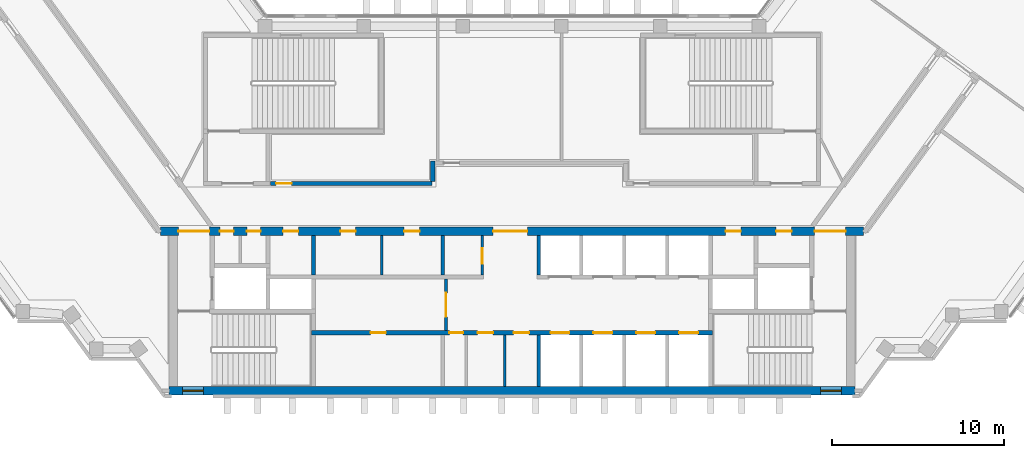
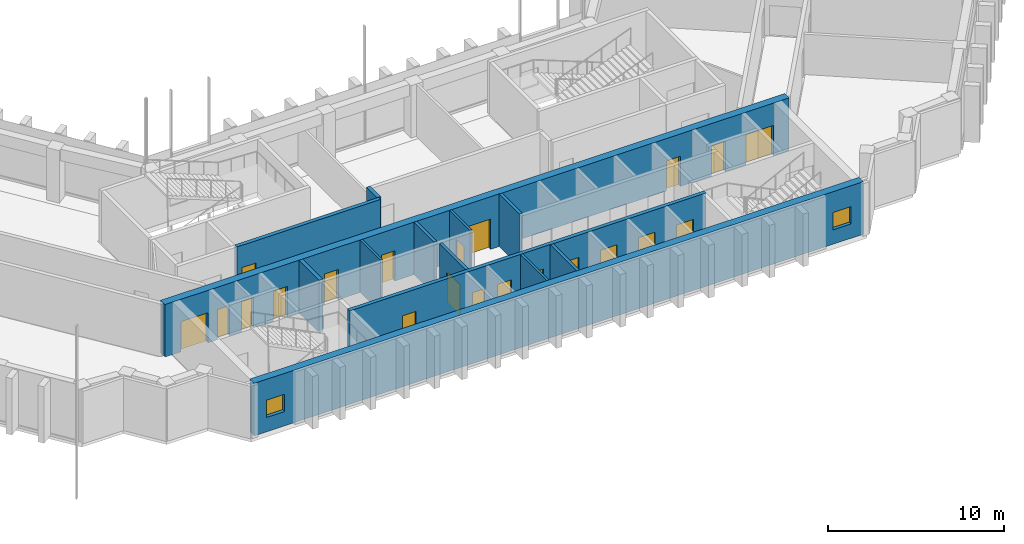
# One storey, part 8 of 12: 21 doors, 13 walls, 2 windows, 23 openings.
"""IFC4 building model written with IfcOpenShell, lengths in metres."""

import ifcopenshell
import ifcopenshell.guid

model = None  # the IFC model being written
_history = None  # IfcOwnerHistory: only IFC2X3 demands one
_inside = {}  # id of a spatial element -> (the spatial element, [elements in it])
_under = {}  # id of a project, library or spatial element -> (it, [spatial elements below it])
_declared = {}  # id of a project -> (the project, [libraries it declares])
_typed = {}  # id of a type object -> (the type object, [elements of that type])
_made_of = {}  # id of a material, layer set ... -> (it, [elements and type objects made of it])


def new_model(schema):
    """Start an empty IFC model of exactly this schema.

    Asked for "IFC4X3", IfcOpenShell would pick the latest addendum, in which some entities
    have other attributes; the version numbers below select the first issue.
    IFC2X3 requires an IfcOwnerHistory on every rooted entity: one is made here for all.
    """
    global model, _history
    if schema == "IFC4X3":
        model = ifcopenshell.file(schema_version=(4, 3, 0, 0))
    else:
        model = ifcopenshell.file(schema=schema)
    _inside.clear()
    _under.clear()
    _declared.clear()
    _typed.clear()
    _made_of.clear()
    _history = None
    if model.schema == "IFC2X3":
        org = make("IfcOrganization", Name="unknown")
        user = make(
            "IfcPersonAndOrganization",
            ThePerson=make("IfcPerson", FamilyName="unknown"),
            TheOrganization=org,
        )
        app = make(
            "IfcApplication",
            ApplicationDeveloper=org,
            Version="unknown",
            ApplicationFullName="unknown",
            ApplicationIdentifier="unknown",
        )
        _history = make(
            "IfcOwnerHistory",
            OwningUser=user,
            OwningApplication=app,
            ChangeAction="ADDED",
            CreationDate=0,
        )
    return model


def make(cls, **values):
    """One entity of the class cls with the attributes given. An attribute that is None is left unset."""
    return model.create_entity(
        cls, **{name: value for name, value in values.items() if value is not None}
    )


def rooted(cls, **values):
    """An entity with a GlobalId (a new one), such as an element, a storey or a relation."""
    return make(cls, GlobalId=ifcopenshell.guid.new(), OwnerHistory=_history, **values)


def si_unit(unit_type, name, prefix=None):
    """IfcSIUnit, for example si_unit("LENGTHUNIT", "METRE", prefix="MILLI")."""
    return make("IfcSIUnit", UnitType=unit_type, Prefix=prefix, Name=name)


def assignment(units):
    """IfcUnitAssignment: the units of a project."""
    return None if units is None else make("IfcUnitAssignment", Units=units)


def point(xyz):
    """IfcCartesianPoint."""
    return None if xyz is None else make("IfcCartesianPoint", Coordinates=xyz)


def direction(xyz):
    """IfcDirection."""
    return None if xyz is None else make("IfcDirection", DirectionRatios=xyz)


def frame(location, z_axis=None, x_axis=None):
    """IfcAxis2Placement3D, a coordinate frame: its origin and axes. An axis left out is left unset."""
    return make(
        "IfcAxis2Placement3D",
        Location=point(location),
        Axis=direction(z_axis),
        RefDirection=direction(x_axis),
    )


def frame_2d(location, x_axis=None):
    """IfcAxis2Placement2D, a coordinate frame in the plane: its origin and x axis."""
    return make(
        "IfcAxis2Placement2D", Location=point(location), RefDirection=direction(x_axis)
    )


def origin():
    """The frame at (0, 0, 0) with its axes left unset."""
    return frame((0.0, 0.0, 0.0))


def place(relative_to, where):
    """IfcLocalPlacement: puts the frame where relative to a parent placement (None: the world)."""
    return make(
        "IfcLocalPlacement", PlacementRelTo=relative_to, RelativePlacement=where
    )


def context(
    kind, dimensions, precision=None, world=None, true_north=None, identifier=None
):
    """IfcGeometricRepresentationContext, for example the 3D "Model" context."""
    return make(
        "IfcGeometricRepresentationContext",
        ContextIdentifier=identifier,
        ContextType=kind,
        CoordinateSpaceDimension=dimensions,
        Precision=precision,
        WorldCoordinateSystem=world,
        TrueNorth=true_north,
    )


def subcontext(parent, identifier, kind, view, scale=None):
    """IfcGeometricRepresentationSubContext, for example "Body" below "Model"."""
    return make(
        "IfcGeometricRepresentationSubContext",
        ContextIdentifier=identifier,
        ContextType=kind,
        ParentContext=parent,
        TargetScale=scale,
        TargetView=view,
    )


def project(units=None, contexts=None):
    """IfcProject with its units and contexts."""
    return rooted(
        "IfcProject",
        Name="project",
        RepresentationContexts=contexts,
        UnitsInContext=assignment(units),
    )


def spatial(cls, under=None, at=None, **own):
    """A site, building, storey or space (cls), placed at a placement, below another one or the project."""
    s = rooted(cls, ObjectPlacement=at, **own)
    if under is not None:
        _under.setdefault(under.id(), (under, []))[1].append(s)
    return s


def profile(cls, at=None, kind="AREA", **sizes):
    """A parametric profile (cls). Its sizes go by their IFC names, for example OverallWidth=200.0."""
    return make(cls, ProfileType=kind, Position=at, **sizes)


def rectangle(**sizes):
    """IfcRectangleProfileDef."""
    return profile("IfcRectangleProfileDef", **sizes)


def extrude(swept, where, along, depth):
    """IfcExtrudedAreaSolid: the profile swept, set in the frame where, extruded along a direction by depth."""
    return make(
        "IfcExtrudedAreaSolid",
        SweptArea=swept,
        Position=where,
        ExtrudedDirection=direction(along),
        Depth=depth,
    )


def shape(context_of_items, identifier, shape_type, items):
    """IfcShapeRepresentation: the items that make up one representation, for example the "Body"."""
    return make(
        "IfcShapeRepresentation",
        ContextOfItems=context_of_items,
        RepresentationIdentifier=identifier,
        RepresentationType=shape_type,
        Items=items,
    )


def material(Name=None, Category=None):
    """IfcMaterial."""
    return make("IfcMaterial", Name=Name, Category=Category)


def layer(
    of_material, thickness, ventilated=None, Name=None, Category=None, Priority=None
):
    """IfcMaterialLayer: one layer of a wall or slab, of a material (None: an air gap)."""
    return make(
        "IfcMaterialLayer",
        Material=of_material,
        LayerThickness=thickness,
        IsVentilated=ventilated,
        Name=Name,
        Category=Category,
        Priority=Priority,
    )


def layer_set(layers, Name=None):
    """IfcMaterialLayerSet."""
    return make("IfcMaterialLayerSet", MaterialLayers=layers, LayerSetName=Name)


def made_of(thing, what):
    """Note that an element or type object is made of a material, layer set ...; save() writes the relation."""
    if what is not None:
        _made_of.setdefault(what.id(), (what, []))[1].append(thing)
    return thing


def type_object(cls, material=None, **own):
    """A type object (cls), such as IfcWallType, which elements share."""
    return made_of(rooted(cls, **own), material)


def element(
    cls,
    number,
    at=None,
    inside=None,
    cuts=None,
    type_object=None,
    material=None,
    context=None,
    identifier="Body",
    shape_type=None,
    held_by="IfcProductDefinitionShape",
    body=None,
    shapes=None,
    **own,
):
    """One element of the class cls, such as IfcWall. Its Tag is "e" and its number.

    at: its placement. inside: the storey or other place that contains it. cuts: it is an
    opening in that element (IfcRelVoidsElement). A single representation is given by context,
    identifier, shape_type and body (its items); several are given by shapes. held_by: the class
    of the entity that holds the representations. save() writes the other relations.
    """
    e = rooted(cls, Tag="e%d" % number, ObjectPlacement=at, **own)
    if body is not None:
        shapes = [shape(context, identifier, shape_type, body)]
    if shapes is not None:
        e.Representation = make(held_by, Representations=shapes)
    if inside is not None:
        _inside.setdefault(inside.id(), (inside, []))[1].append(e)
    if cuts is not None:
        rooted(
            "IfcRelVoidsElement", RelatingBuildingElement=cuts, RelatedOpeningElement=e
        )
    if type_object is not None:
        _typed.setdefault(type_object.id(), (type_object, []))[1].append(e)
    return made_of(e, material)


def fill(opening, filler):
    """IfcRelFillsElement: the door or window that sits in an opening."""
    return rooted(
        "IfcRelFillsElement",
        RelatingOpeningElement=opening,
        RelatedBuildingElement=filler,
    )


def aggregate(whole, parts):
    """IfcRelAggregates: a whole, such as a stair, and the parts it consists of."""
    return rooted("IfcRelAggregates", RelatingObject=whole, RelatedObjects=parts)


def save(model, path):
    """Write the relations noted so far, then the file.

    IfcRelAggregates (storeys below a building ...), IfcRelContainedInSpatialStructure (elements
    in a storey), IfcRelDefinesByType, IfcRelAssociatesMaterial and IfcRelDeclares: one each for
    every whole, place, type object, material and project.
    """
    for whole, parts in _under.values():
        aggregate(whole, parts)
    for where, things in _inside.values():
        rooted(
            "IfcRelContainedInSpatialStructure",
            RelatedElements=things,
            RelatingStructure=where,
        )
    for kind, things in _typed.values():
        rooted("IfcRelDefinesByType", RelatedObjects=things, RelatingType=kind)
    for what, things in _made_of.values():
        rooted("IfcRelAssociatesMaterial", RelatedObjects=things, RelatingMaterial=what)
    for by, libraries in _declared.values():
        rooted("IfcRelDeclares", RelatingContext=by, RelatedDefinitions=libraries)
    model.write(path)


model = new_model("IFC4")

# Units and contexts
model_context = context("Model", 3, precision=1e-05, world=origin(), true_north=direction((0.0, 1.0)))
body_context = subcontext(model_context, "Body", "Model", "MODEL_VIEW")
ifc_project = project(units=[si_unit("LENGTHUNIT", "METRE"), si_unit("AREAUNIT", "SQUARE_METRE"), si_unit("VOLUMEUNIT", "CUBIC_METRE"), si_unit("PLANEANGLEUNIT", "RADIAN"), si_unit("MASSUNIT", "GRAM", prefix="KILO")], contexts=[model_context])

# Site, building, storey
site_placement = place(None, origin())
site = spatial("IfcSite", under=ifc_project, at=site_placement, CompositionType="ELEMENT")
building_placement = place(site_placement, origin())
building = spatial("IfcBuilding", under=site, at=building_placement, Name="Quipu Civic Tower", CompositionType="ELEMENT")
storey_placement = place(building_placement, frame((0.0, 0.0, 234.0)))
storey = spatial("IfcBuildingStorey", under=building, at=storey_placement, Name="L55", CompositionType="ELEMENT", Elevation=234.0)

# Wall, openings, doors
ifc_material_1 = material(Name="Concrete C70/85", Category="concrete")
ifc_layer_1 = layer(ifc_material_1, 0.25)
ifc_layer_set_1 = layer_set([ifc_layer_1], Name="Concrete C70/85")
wall_type_1 = type_object("IfcWallType", Name="Core wall 250", PredefinedType="SHEAR", material=ifc_layer_set_1)
wall_1_placement = place(storey_placement, frame((11.699951171875, -7.375, 0.0), z_axis=(0.0, 0.0, 1.0), x_axis=(-1.0, 0.0, 0.0)))
wall_1 = element("IfcWall", 1, at=wall_1_placement, inside=storey, type_object=wall_type_1, Name="Core wall", PredefinedType="SHEAR", context=body_context, shape_type="SweptSolid", body=[
    extrude(rectangle(XDim=23.39990234375, YDim=0.25, at=frame_2d((11.699951171875, 0.0))), origin(), (0.0, 0.0, 1.0), 3.64990234375),
])
opening_1_placement = place(wall_1_placement, frame((19.050048828125, 0.0, 0.0)))
opening_1 = element("IfcOpeningElement", 2, at=opening_1_placement, cuts=wall_1, Name="Opening CD-01", PredefinedType="OPENING", context=body_context, shape_type="SweptSolid", body=[
    extrude(rectangle(XDim=0.89990234375, YDim=2.10009765625, at=frame_2d((0.449951171875, 1.050048828125))), frame((0.0, 0.135009765625, 0.0), z_axis=(0.0, -1.0, 0.0), x_axis=(1.0, 0.0, 0.0)), (0.0, 0.0, 1.0), 0.27001953125),
])
opening_2_placement = place(wall_1_placement, frame((14.550048828125, 0.0, 0.0)))
opening_2 = element("IfcOpeningElement", 3, at=opening_2_placement, cuts=wall_1, Name="Opening CD-02", PredefinedType="OPENING", context=body_context, shape_type="SweptSolid", body=[
    extrude(rectangle(XDim=0.800048828125, YDim=2.10009765625, at=frame_2d((0.39990234375, 1.050048828125))), frame((0.0, 0.135009765625, 0.0), z_axis=(0.0, -1.0, 0.0), x_axis=(1.0, 0.0, 0.0)), (0.0, 0.0, 1.0), 0.27001953125),
])
opening_3_placement = place(wall_1_placement, frame((12.800048828125, 0.0, 0.0)))
opening_3 = element("IfcOpeningElement", 4, at=opening_3_placement, cuts=wall_1, Name="Opening CD-03", PredefinedType="OPENING", context=body_context, shape_type="SweptSolid", body=[
    extrude(rectangle(XDim=0.89990234375, YDim=2.10009765625, at=frame_2d((0.449951171875, 1.050048828125))), frame((0.0, 0.135009765625, 0.0), z_axis=(0.0, -1.0, 0.0), x_axis=(1.0, 0.0, 0.0)), (0.0, 0.0, 1.0), 0.27001953125),
])
opening_4_placement = place(wall_1_placement, frame((10.699951171875, 0.0, 0.0)))
opening_4 = element("IfcOpeningElement", 5, at=opening_4_placement, cuts=wall_1, Name="Opening CD-04", PredefinedType="OPENING", context=body_context, shape_type="SweptSolid", body=[
    extrude(rectangle(XDim=0.89990234375, YDim=2.10009765625, at=frame_2d((0.449951171875, 1.050048828125))), frame((0.0, 0.135009765625, 0.0), z_axis=(0.0, -1.0, 0.0), x_axis=(1.0, 0.0, 0.0)), (0.0, 0.0, 1.0), 0.27001953125),
])
opening_5_placement = place(wall_1_placement, frame((8.35009765625, 0.0, 0.0)))
opening_5 = element("IfcOpeningElement", 6, at=opening_5_placement, cuts=wall_1, Name="Opening LD-ML1", PredefinedType="OPENING", context=body_context, shape_type="SweptSolid", body=[
    extrude(rectangle(XDim=1.10009765625, YDim=2.10009765625, at=frame_2d((0.550048828125, 1.050048828125))), frame((0.0, 0.135009765625, 0.0), z_axis=(0.0, -1.0, 0.0), x_axis=(1.0, 0.0, 0.0)), (0.0, 0.0, 1.0), 0.27001953125),
])
opening_6_placement = place(wall_1_placement, frame((5.85009765625, 0.0, 0.0)))
opening_6 = element("IfcOpeningElement", 7, at=opening_6_placement, cuts=wall_1, Name="Opening LD-ML2", PredefinedType="OPENING", context=body_context, shape_type="SweptSolid", body=[
    extrude(rectangle(XDim=1.10009765625, YDim=2.10009765625, at=frame_2d((0.550048828125, 1.050048828125))), frame((0.0, 0.135009765625, 0.0), z_axis=(0.0, -1.0, 0.0), x_axis=(1.0, 0.0, 0.0)), (0.0, 0.0, 1.0), 0.27001953125),
])
opening_7_placement = place(wall_1_placement, frame((3.35009765625, 0.0, 0.0)))
opening_7 = element("IfcOpeningElement", 8, at=opening_7_placement, cuts=wall_1, Name="Opening LD-ML3", PredefinedType="OPENING", context=body_context, shape_type="SweptSolid", body=[
    extrude(rectangle(XDim=1.10009765625, YDim=2.10009765625, at=frame_2d((0.550048828125, 1.050048828125))), frame((0.0, 0.135009765625, 0.0), z_axis=(0.0, -1.0, 0.0), x_axis=(1.0, 0.0, 0.0)), (0.0, 0.0, 1.0), 0.27001953125),
])
opening_8_placement = place(wall_1_placement, frame((0.85009765625, 0.0, 0.0)))
opening_8 = element("IfcOpeningElement", 9, at=opening_8_placement, cuts=wall_1, Name="Opening LD-ML4", PredefinedType="OPENING", context=body_context, shape_type="SweptSolid", body=[
    extrude(rectangle(XDim=1.10009765625, YDim=2.10009765625, at=frame_2d((0.550048828125, 1.050048828125))), frame((0.0, 0.135009765625, 0.0), z_axis=(0.0, -1.0, 0.0), x_axis=(1.0, 0.0, 0.0)), (0.0, 0.0, 1.0), 0.27001953125),
])
ifc_material_2 = material(Name="Fire rated steel door", Category="steel")
door_type_1 = type_object("IfcDoorType", Name="Fire door FD60 800 x 2100", OperationType="NOTDEFINED", PredefinedType="DOOR", material=ifc_material_2)
door_1_placement = place(opening_2_placement, origin())
door_1 = element("IfcDoor", 10, at=door_1_placement, inside=storey, type_object=door_type_1, Name="Door", OperationType="SINGLE_SWING_RIGHT", OverallHeight=2.10009765625, OverallWidth=0.800048828125, PredefinedType="DOOR", context=body_context, shape_type="SweptSolid", body=[
    extrude(rectangle(XDim=0.800048828125, YDim=2.10009765625, at=frame_2d((0.39990234375, 1.050048828125))), frame((0.0, 0.02490234375, 0.0), z_axis=(0.0, -1.0, 0.0), x_axis=(1.0, 0.0, 0.0)), (0.0, 0.0, 1.0), 0.050048828125),
])
fill(opening_2, door_1)
ifc_material_3 = material(Name="Fire rated steel door", Category="steel")
door_type_2 = type_object("IfcDoorType", Name="Fire door FD60 900 x 2100", OperationType="NOTDEFINED", PredefinedType="DOOR", material=ifc_material_3)
door_2_placement = place(opening_1_placement, origin())
door_2 = element("IfcDoor", 11, at=door_2_placement, inside=storey, type_object=door_type_2, Name="Door", OperationType="SINGLE_SWING_RIGHT", OverallHeight=2.10009765625, OverallWidth=0.89990234375, PredefinedType="DOOR", context=body_context, shape_type="SweptSolid", body=[
    extrude(rectangle(XDim=0.89990234375, YDim=2.10009765625, at=frame_2d((0.449951171875, 1.050048828125))), frame((0.0, 0.02490234375, 0.0), z_axis=(0.0, -1.0, 0.0), x_axis=(1.0, 0.0, 0.0)), (0.0, 0.0, 1.0), 0.050048828125),
])
fill(opening_1, door_2)
door_3_placement = place(opening_3_placement, origin())
door_3 = element("IfcDoor", 12, at=door_3_placement, inside=storey, type_object=door_type_2, Name="WC door", OperationType="SINGLE_SWING_RIGHT", OverallHeight=2.10009765625, OverallWidth=0.89990234375, PredefinedType="DOOR", context=body_context, shape_type="SweptSolid", body=[
    extrude(rectangle(XDim=0.89990234375, YDim=2.10009765625, at=frame_2d((0.449951171875, 1.050048828125))), frame((0.0, 0.02490234375, 0.0), z_axis=(0.0, -1.0, 0.0), x_axis=(1.0, 0.0, 0.0)), (0.0, 0.0, 1.0), 0.050048828125),
])
fill(opening_3, door_3)
door_4_placement = place(opening_4_placement, origin())
door_4 = element("IfcDoor", 13, at=door_4_placement, inside=storey, type_object=door_type_2, Name="WC door", OperationType="SINGLE_SWING_LEFT", OverallHeight=2.10009765625, OverallWidth=0.89990234375, PredefinedType="DOOR", context=body_context, shape_type="SweptSolid", body=[
    extrude(rectangle(XDim=0.89990234375, YDim=2.10009765625, at=frame_2d((0.449951171875, 1.050048828125))), frame((0.0, 0.02490234375, 0.0), z_axis=(0.0, -1.0, 0.0), x_axis=(1.0, 0.0, 0.0)), (0.0, 0.0, 1.0), 0.050048828125),
])
fill(opening_4, door_4)
ifc_material_4 = material(Name="Stainless steel", Category="steel")
door_type_3 = type_object("IfcDoorType", Name="Lift landing door 1100 x 2100", OperationType="DOUBLE_DOOR_SLIDING", PredefinedType="DOOR", material=ifc_material_4)
door_5_placement = place(opening_5_placement, origin())
door_5 = element("IfcDoor", 14, at=door_5_placement, inside=storey, type_object=door_type_3, Name="Landing door ML1", OperationType="DOUBLE_DOOR_SLIDING", OverallHeight=2.10009765625, OverallWidth=1.10009765625, PredefinedType="DOOR", context=body_context, shape_type="SweptSolid", body=[
    extrude(rectangle(XDim=1.10009765625, YDim=2.10009765625, at=frame_2d((0.550048828125, 1.050048828125))), frame((0.0, 0.02490234375, 0.0), z_axis=(0.0, -1.0, 0.0), x_axis=(1.0, 0.0, 0.0)), (0.0, 0.0, 1.0), 0.050048828125),
])
fill(opening_5, door_5)
door_6_placement = place(opening_6_placement, origin())
door_6 = element("IfcDoor", 15, at=door_6_placement, inside=storey, type_object=door_type_3, Name="Landing door ML2", OperationType="DOUBLE_DOOR_SLIDING", OverallHeight=2.10009765625, OverallWidth=1.10009765625, PredefinedType="DOOR", context=body_context, shape_type="SweptSolid", body=[
    extrude(rectangle(XDim=1.10009765625, YDim=2.10009765625, at=frame_2d((0.550048828125, 1.050048828125))), frame((0.0, 0.02490234375, 0.0), z_axis=(0.0, -1.0, 0.0), x_axis=(1.0, 0.0, 0.0)), (0.0, 0.0, 1.0), 0.050048828125),
])
fill(opening_6, door_6)
door_7_placement = place(opening_7_placement, origin())
door_7 = element("IfcDoor", 16, at=door_7_placement, inside=storey, type_object=door_type_3, Name="Landing door ML3", OperationType="DOUBLE_DOOR_SLIDING", OverallHeight=2.10009765625, OverallWidth=1.10009765625, PredefinedType="DOOR", context=body_context, shape_type="SweptSolid", body=[
    extrude(rectangle(XDim=1.10009765625, YDim=2.10009765625, at=frame_2d((0.550048828125, 1.050048828125))), frame((0.0, 0.02490234375, 0.0), z_axis=(0.0, -1.0, 0.0), x_axis=(1.0, 0.0, 0.0)), (0.0, 0.0, 1.0), 0.050048828125),
])
fill(opening_7, door_7)
door_8_placement = place(opening_8_placement, origin())
door_8 = element("IfcDoor", 17, at=door_8_placement, inside=storey, type_object=door_type_3, Name="Landing door ML4", OperationType="DOUBLE_DOOR_SLIDING", OverallHeight=2.10009765625, OverallWidth=1.10009765625, PredefinedType="DOOR", context=body_context, shape_type="SweptSolid", body=[
    extrude(rectangle(XDim=1.10009765625, YDim=2.10009765625, at=frame_2d((0.550048828125, 1.050048828125))), frame((0.0, 0.02490234375, 0.0), z_axis=(0.0, -1.0, 0.0), x_axis=(1.0, 0.0, 0.0)), (0.0, 0.0, 1.0), 0.050048828125),
])
fill(opening_8, door_8)

# Wall
wall_2_placement = place(storey_placement, frame((-11.574951171875, -4.0, 0.0), z_axis=(0.0, 0.0, 1.0), x_axis=(0.0, 1.0, 0.0)))
element("IfcWall", 18, at=wall_2_placement, inside=storey, type_object=wall_type_1, Name="Core wall", PredefinedType="SHEAR", context=body_context, shape_type="SweptSolid", body=[
    extrude(rectangle(XDim=2.300048828125, YDim=0.25, at=frame_2d((1.14990234375, 0.0))), origin(), (0.0, 0.0, 1.0), 3.64990234375),
])

# Wall, openings, windows
ifc_material_5 = material(Name="Concrete C70/85", Category="concrete")
ifc_layer_2 = layer(ifc_material_5, 0.5)
ifc_layer_set_2 = layer_set([ifc_layer_2], Name="Concrete C70/85")
wall_type_2 = type_object("IfcWallType", Name="Core wall 500", PredefinedType="SHEAR", material=ifc_layer_set_2)
wall_3_placement = place(storey_placement, frame((-20.0, -10.75, 0.0), z_axis=(0.0, 0.0, 1.0), x_axis=(1.0, 0.0, 0.0)))
wall_3 = element("IfcWall", 19, at=wall_3_placement, inside=storey, type_object=wall_type_2, Name="Core wall", PredefinedType="SHEAR", context=body_context, shape_type="SweptSolid", body=[
    extrude(rectangle(XDim=40.0, YDim=0.5, at=frame_2d((20.0, 0.0))), origin(), (0.0, 0.0, 1.0), 3.64990234375),
])
opening_9_placement = place(wall_3_placement, frame((0.800048828125, 0.0, 1.0)))
opening_9 = element("IfcOpeningElement", 20, at=opening_9_placement, cuts=wall_3, Name="Opening SV-1", PredefinedType="OPENING", context=body_context, shape_type="SweptSolid", body=[
    extrude(rectangle(XDim=1.199951171875, YDim=1.199951171875, at=frame_2d((0.60009765625, 0.60009765625))), frame((0.0, 0.260009765625, 0.0), z_axis=(0.0, -1.0, 0.0), x_axis=(1.0, 0.0, 0.0)), (0.0, 0.0, 1.0), 0.52001953125),
])
opening_10_placement = place(wall_3_placement, frame((38.0, 0.0, 1.0)))
opening_10 = element("IfcOpeningElement", 21, at=opening_10_placement, cuts=wall_3, Name="Opening SV-2", PredefinedType="OPENING", context=body_context, shape_type="SweptSolid", body=[
    extrude(rectangle(XDim=1.199951171875, YDim=1.199951171875, at=frame_2d((0.60009765625, 0.60009765625))), frame((0.0, 0.260009765625, 0.0), z_axis=(0.0, -1.0, 0.0), x_axis=(1.0, 0.0, 0.0)), (0.0, 0.0, 1.0), 0.52001953125),
])
ifc_material_6 = material(Name="Aluminium louvre", Category="aluminium")
window_type = type_object("IfcWindowType", Name="Stair ventilation louvre 1200 x 1200", PartitioningType="SINGLE_PANEL", PredefinedType="WINDOW", material=ifc_material_6)
window_1_placement = place(opening_9_placement, origin())
window_1 = element("IfcWindow", 22, at=window_1_placement, inside=storey, type_object=window_type, Name="Stair ventilation opening", OverallHeight=1.199951171875, OverallWidth=1.199951171875, PartitioningType="SINGLE_PANEL", PredefinedType="WINDOW", context=body_context, shape_type="SweptSolid", body=[
    extrude(rectangle(XDim=1.199951171875, YDim=1.199951171875, at=frame_2d((0.60009765625, 0.60009765625))), frame((0.0, 0.030029296875, 0.0), z_axis=(0.0, -1.0, 0.0), x_axis=(1.0, 0.0, 0.0)), (0.0, 0.0, 1.0), 0.06005859375),
])
fill(opening_9, window_1)
window_2_placement = place(opening_10_placement, origin())
window_2 = element("IfcWindow", 23, at=window_2_placement, inside=storey, type_object=window_type, Name="Stair ventilation opening", OverallHeight=1.199951171875, OverallWidth=1.199951171875, PartitioningType="SINGLE_PANEL", PredefinedType="WINDOW", context=body_context, shape_type="SweptSolid", body=[
    extrude(rectangle(XDim=1.199951171875, YDim=1.199951171875, at=frame_2d((0.60009765625, 0.60009765625))), frame((0.0, 0.030029296875, 0.0), z_axis=(0.0, -1.0, 0.0), x_axis=(1.0, 0.0, 0.0)), (0.0, 0.0, 1.0), 0.06005859375),
])
fill(opening_10, window_2)

# Wall, openings, doors
wall_4_placement = place(storey_placement, frame((20.489990234375, -1.449951171875, 0.0), z_axis=(0.0, 0.0, 1.0), x_axis=(-1.0, 0.0, 0.0)))
wall_4 = element("IfcWall", 24, at=wall_4_placement, inside=storey, type_object=wall_type_2, Name="Core wall", PredefinedType="SHEAR", context=body_context, shape_type="SweptSolid", body=[
    extrude(rectangle(XDim=40.97998046875, YDim=0.5, at=frame_2d((20.489990234375, 0.0))), origin(), (0.0, 0.0, 1.0), 3.64990234375),
])
opening_11_placement = place(wall_4_placement, frame((38.139892578125, 0.0, 0.0)))
opening_11 = element("IfcOpeningElement", 25, at=opening_11_placement, cuts=wall_4, Name="Opening CD-09", PredefinedType="OPENING", context=body_context, shape_type="SweptSolid", body=[
    extrude(rectangle(XDim=1.800048828125, YDim=2.10009765625, at=frame_2d((0.89990234375, 1.050048828125))), frame((0.0, 0.260009765625, 0.0), z_axis=(0.0, -1.0, 0.0), x_axis=(1.0, 0.0, 0.0)), (0.0, 0.0, 1.0), 0.52001953125),
])
opening_12_placement = place(wall_4_placement, frame((36.7275390625, 0.0, 0.0)))
opening_12 = element("IfcOpeningElement", 26, at=opening_12_placement, cuts=wall_4, Name="Opening CD-10", PredefinedType="OPENING", context=body_context, shape_type="SweptSolid", body=[
    extrude(rectangle(XDim=0.800048828125, YDim=2.10009765625, at=frame_2d((0.39990234375, 1.050048828125))), frame((0.0, 0.260009765625, 0.0), z_axis=(0.0, -1.0, 0.0), x_axis=(1.0, 0.0, 0.0)), (0.0, 0.0, 1.0), 0.52001953125),
])
opening_13_placement = place(wall_4_placement, frame((35.152587890625, 0.0, 0.0)))
opening_13 = element("IfcOpeningElement", 27, at=opening_13_placement, cuts=wall_4, Name="Opening CD-11", PredefinedType="OPENING", context=body_context, shape_type="SweptSolid", body=[
    extrude(rectangle(XDim=0.800048828125, YDim=2.10009765625, at=frame_2d((0.39990234375, 1.050048828125))), frame((0.0, 0.260009765625, 0.0), z_axis=(0.0, -1.0, 0.0), x_axis=(1.0, 0.0, 0.0)), (0.0, 0.0, 1.0), 0.52001953125),
])
opening_14_placement = place(wall_4_placement, frame((32.93994140625, 0.0, 0.0)))
opening_14 = element("IfcOpeningElement", 28, at=opening_14_placement, cuts=wall_4, Name="Opening CD-12", PredefinedType="OPENING", context=body_context, shape_type="SweptSolid", body=[
    extrude(rectangle(XDim=0.89990234375, YDim=2.10009765625, at=frame_2d((0.449951171875, 1.050048828125))), frame((0.0, 0.260009765625, 0.0), z_axis=(0.0, -1.0, 0.0), x_axis=(1.0, 0.0, 0.0)), (0.0, 0.0, 1.0), 0.52001953125),
])
opening_15_placement = place(wall_4_placement, frame((29.6025390625, 0.0, 0.0)))
opening_15 = element("IfcOpeningElement", 29, at=opening_15_placement, cuts=wall_4, Name="Opening CD-13", PredefinedType="OPENING", context=body_context, shape_type="SweptSolid", body=[
    extrude(rectangle(XDim=0.89990234375, YDim=2.10009765625, at=frame_2d((0.449951171875, 1.050048828125))), frame((0.0, 0.260009765625, 0.0), z_axis=(0.0, -1.0, 0.0), x_axis=(1.0, 0.0, 0.0)), (0.0, 0.0, 1.0), 0.52001953125),
])
opening_16_placement = place(wall_4_placement, frame((25.87744140625, 0.0, 0.0)))
opening_16 = element("IfcOpeningElement", 30, at=opening_16_placement, cuts=wall_4, Name="Opening CD-14", PredefinedType="OPENING", context=body_context, shape_type="SweptSolid", body=[
    extrude(rectangle(XDim=0.89990234375, YDim=2.10009765625, at=frame_2d((0.449951171875, 1.050048828125))), frame((0.0, 0.260009765625, 0.0), z_axis=(0.0, -1.0, 0.0), x_axis=(1.0, 0.0, 0.0)), (0.0, 0.0, 1.0), 0.52001953125),
])
opening_17_placement = place(wall_4_placement, frame((19.590087890625, 0.0, 0.0)))
opening_17 = element("IfcOpeningElement", 31, at=opening_17_placement, cuts=wall_4, Name="Opening CD-15", PredefinedType="OPENING", context=body_context, shape_type="SweptSolid", body=[
    extrude(rectangle(XDim=2.0, YDim=2.10009765625, at=frame_2d((1.0, 1.050048828125))), frame((0.0, 0.260009765625, 0.0), z_axis=(0.0, -1.0, 0.0), x_axis=(1.0, 0.0, 0.0)), (0.0, 0.0, 1.0), 0.52001953125),
])
opening_18_placement = place(wall_4_placement, frame((7.139892578125, 0.0, 0.0)))
opening_18 = element("IfcOpeningElement", 32, at=opening_18_placement, cuts=wall_4, Name="Opening CD-16", PredefinedType="OPENING", context=body_context, shape_type="SweptSolid", body=[
    extrude(rectangle(XDim=0.89990234375, YDim=2.10009765625, at=frame_2d((0.449951171875, 1.050048828125))), frame((0.0, 0.260009765625, 0.0), z_axis=(0.0, -1.0, 0.0), x_axis=(1.0, 0.0, 0.0)), (0.0, 0.0, 1.0), 0.52001953125),
])
opening_19_placement = place(wall_4_placement, frame((4.18994140625, 0.0, 0.0)))
opening_19 = element("IfcOpeningElement", 33, at=opening_19_placement, cuts=wall_4, Name="Opening CD-17", PredefinedType="OPENING", context=body_context, shape_type="SweptSolid", body=[
    extrude(rectangle(XDim=0.89990234375, YDim=2.10009765625, at=frame_2d((0.449951171875, 1.050048828125))), frame((0.0, 0.260009765625, 0.0), z_axis=(0.0, -1.0, 0.0), x_axis=(1.0, 0.0, 0.0)), (0.0, 0.0, 1.0), 0.52001953125),
])
opening_20_placement = place(wall_4_placement, frame((1.0400390625, 0.0, 0.0)))
opening_20 = element("IfcOpeningElement", 34, at=opening_20_placement, cuts=wall_4, Name="Opening CD-18", PredefinedType="OPENING", context=body_context, shape_type="SweptSolid", body=[
    extrude(rectangle(XDim=1.800048828125, YDim=2.10009765625, at=frame_2d((0.89990234375, 1.050048828125))), frame((0.0, 0.260009765625, 0.0), z_axis=(0.0, -1.0, 0.0), x_axis=(1.0, 0.0, 0.0)), (0.0, 0.0, 1.0), 0.52001953125),
])
door_9_placement = place(opening_12_placement, origin())
door_9 = element("IfcDoor", 35, at=door_9_placement, inside=storey, type_object=door_type_1, Name="Door", OperationType="SINGLE_SWING_RIGHT", OverallHeight=2.10009765625, OverallWidth=0.800048828125, PredefinedType="DOOR", context=body_context, shape_type="SweptSolid", body=[
    extrude(rectangle(XDim=0.800048828125, YDim=2.10009765625, at=frame_2d((0.39990234375, 1.050048828125))), frame((0.0, 0.02490234375, 0.0), z_axis=(0.0, -1.0, 0.0), x_axis=(1.0, 0.0, 0.0)), (0.0, 0.0, 1.0), 0.050048828125),
])
fill(opening_12, door_9)
door_10_placement = place(opening_13_placement, origin())
door_10 = element("IfcDoor", 36, at=door_10_placement, inside=storey, type_object=door_type_1, Name="Door", OperationType="SINGLE_SWING_RIGHT", OverallHeight=2.10009765625, OverallWidth=0.800048828125, PredefinedType="DOOR", context=body_context, shape_type="SweptSolid", body=[
    extrude(rectangle(XDim=0.800048828125, YDim=2.10009765625, at=frame_2d((0.39990234375, 1.050048828125))), frame((0.0, 0.02490234375, 0.0), z_axis=(0.0, -1.0, 0.0), x_axis=(1.0, 0.0, 0.0)), (0.0, 0.0, 1.0), 0.050048828125),
])
fill(opening_13, door_10)
door_11_placement = place(opening_14_placement, origin())
door_11 = element("IfcDoor", 37, at=door_11_placement, inside=storey, type_object=door_type_2, Name="Riser door", OperationType="SINGLE_SWING_RIGHT", OverallHeight=2.10009765625, OverallWidth=0.89990234375, PredefinedType="DOOR", context=body_context, shape_type="SweptSolid", body=[
    extrude(rectangle(XDim=0.89990234375, YDim=2.10009765625, at=frame_2d((0.449951171875, 1.050048828125))), frame((0.0, 0.02490234375, 0.0), z_axis=(0.0, -1.0, 0.0), x_axis=(1.0, 0.0, 0.0)), (0.0, 0.0, 1.0), 0.050048828125),
])
fill(opening_14, door_11)
door_12_placement = place(opening_15_placement, origin())
door_12 = element("IfcDoor", 38, at=door_12_placement, inside=storey, type_object=door_type_2, Name="Door", OperationType="SINGLE_SWING_RIGHT", OverallHeight=2.10009765625, OverallWidth=0.89990234375, PredefinedType="DOOR", context=body_context, shape_type="SweptSolid", body=[
    extrude(rectangle(XDim=0.89990234375, YDim=2.10009765625, at=frame_2d((0.449951171875, 1.050048828125))), frame((0.0, 0.02490234375, 0.0), z_axis=(0.0, -1.0, 0.0), x_axis=(1.0, 0.0, 0.0)), (0.0, 0.0, 1.0), 0.050048828125),
])
fill(opening_15, door_12)
door_13_placement = place(opening_16_placement, origin())
door_13 = element("IfcDoor", 39, at=door_13_placement, inside=storey, type_object=door_type_2, Name="Door", OperationType="SINGLE_SWING_RIGHT", OverallHeight=2.10009765625, OverallWidth=0.89990234375, PredefinedType="DOOR", context=body_context, shape_type="SweptSolid", body=[
    extrude(rectangle(XDim=0.89990234375, YDim=2.10009765625, at=frame_2d((0.449951171875, 1.050048828125))), frame((0.0, 0.02490234375, 0.0), z_axis=(0.0, -1.0, 0.0), x_axis=(1.0, 0.0, 0.0)), (0.0, 0.0, 1.0), 0.050048828125),
])
fill(opening_16, door_13)
door_14_placement = place(opening_18_placement, origin())
door_14 = element("IfcDoor", 40, at=door_14_placement, inside=storey, type_object=door_type_2, Name="Riser door", OperationType="SINGLE_SWING_LEFT", OverallHeight=2.10009765625, OverallWidth=0.89990234375, PredefinedType="DOOR", context=body_context, shape_type="SweptSolid", body=[
    extrude(rectangle(XDim=0.89990234375, YDim=2.10009765625, at=frame_2d((0.449951171875, 1.050048828125))), frame((0.0, 0.02490234375, 0.0), z_axis=(0.0, -1.0, 0.0), x_axis=(1.0, 0.0, 0.0)), (0.0, 0.0, 1.0), 0.050048828125),
])
fill(opening_18, door_14)
door_15_placement = place(opening_19_placement, origin())
door_15 = element("IfcDoor", 41, at=door_15_placement, inside=storey, type_object=door_type_2, Name="Door", OperationType="SINGLE_SWING_LEFT", OverallHeight=2.10009765625, OverallWidth=0.89990234375, PredefinedType="DOOR", context=body_context, shape_type="SweptSolid", body=[
    extrude(rectangle(XDim=0.89990234375, YDim=2.10009765625, at=frame_2d((0.449951171875, 1.050048828125))), frame((0.0, 0.02490234375, 0.0), z_axis=(0.0, -1.0, 0.0), x_axis=(1.0, 0.0, 0.0)), (0.0, 0.0, 1.0), 0.050048828125),
])
fill(opening_19, door_15)
ifc_material_7 = material(Name="Fire rated steel door", Category="steel")
door_type_4 = type_object("IfcDoorType", Name="Fire door FD90 double 1800 x 2100", OperationType="NOTDEFINED", PredefinedType="DOOR", material=ifc_material_7)
door_16_placement = place(opening_11_placement, origin())
door_16 = element("IfcDoor", 42, at=door_16_placement, inside=storey, type_object=door_type_4, Name="Lobby door", OperationType="DOUBLE_DOOR_SINGLE_SWING", OverallHeight=2.10009765625, OverallWidth=1.800048828125, PredefinedType="DOOR", context=body_context, shape_type="SweptSolid", body=[
    extrude(rectangle(XDim=1.800048828125, YDim=2.10009765625, at=frame_2d((0.89990234375, 1.050048828125))), frame((0.0, 0.02490234375, 0.0), z_axis=(0.0, -1.0, 0.0), x_axis=(1.0, 0.0, 0.0)), (0.0, 0.0, 1.0), 0.050048828125),
])
fill(opening_11, door_16)
door_17_placement = place(opening_20_placement, origin())
door_17 = element("IfcDoor", 43, at=door_17_placement, inside=storey, type_object=door_type_4, Name="Lobby door", OperationType="DOUBLE_DOOR_SINGLE_SWING", OverallHeight=2.10009765625, OverallWidth=1.800048828125, PredefinedType="DOOR", context=body_context, shape_type="SweptSolid", body=[
    extrude(rectangle(XDim=1.800048828125, YDim=2.10009765625, at=frame_2d((0.89990234375, 1.050048828125))), frame((0.0, 0.02490234375, 0.0), z_axis=(0.0, -1.0, 0.0), x_axis=(1.0, 0.0, 0.0)), (0.0, 0.0, 1.0), 0.050048828125),
])
fill(opening_20, door_17)
ifc_material_8 = material(Name="Fire rated steel door", Category="steel")
door_type_5 = type_object("IfcDoorType", Name="Fire door FD90 double 2000 x 2100", OperationType="NOTDEFINED", PredefinedType="DOOR", material=ifc_material_8)
door_18_placement = place(opening_17_placement, origin())
door_18 = element("IfcDoor", 44, at=door_18_placement, inside=storey, type_object=door_type_5, Name="Lobby door", OperationType="DOUBLE_DOOR_SINGLE_SWING", OverallHeight=2.10009765625, OverallWidth=2.0, PredefinedType="DOOR", context=body_context, shape_type="SweptSolid", body=[
    extrude(rectangle(XDim=2.0, YDim=2.10009765625, at=frame_2d((1.0, 1.050048828125))), frame((0.0, 0.02490234375, 0.0), z_axis=(0.0, -1.0, 0.0), x_axis=(1.0, 0.0, 0.0)), (0.0, 0.0, 1.0), 0.050048828125),
])
fill(opening_17, door_18)

# Wall, opening, door
ifc_material_9 = material(Name="Concrete C50/60", Category="concrete")
ifc_layer_3 = layer(ifc_material_9, 0.25)
ifc_layer_set_3 = layer_set([ifc_layer_3], Name="Concrete C50/60")
wall_type_3 = type_object("IfcWallType", Name="Corridor wall 250 concrete", PredefinedType="SOLIDWALL", material=ifc_layer_set_3)
wall_5_placement = place(storey_placement, frame((-14.090087890625, 1.324951171875, 0.0), z_axis=(0.0, 0.0, 1.0), x_axis=(1.0, 0.0, 0.0)))
wall_5 = element("IfcWall", 45, at=wall_5_placement, inside=storey, type_object=wall_type_3, Name="Corridor wall C07", PredefinedType="SOLIDWALL", context=body_context, shape_type="SweptSolid", body=[
    extrude(rectangle(XDim=9.431396484375, YDim=0.25, at=frame_2d((4.7158203125, 0.0))), origin(), (0.0, 0.0, 1.0), 3.64990234375),
])
opening_21_placement = place(wall_5_placement, frame((0.340087890625, 0.0, 0.0)))
opening_21 = element("IfcOpeningElement", 46, at=opening_21_placement, cuts=wall_5, Name="Opening D005", PredefinedType="OPENING", context=body_context, shape_type="SweptSolid", body=[
    extrude(rectangle(XDim=0.89990234375, YDim=2.10009765625, at=frame_2d((0.449951171875, 1.050048828125))), frame((0.0, 0.135009765625, 0.0), z_axis=(0.0, -1.0, 0.0), x_axis=(1.0, 0.0, 0.0)), (0.0, 0.0, 1.0), 0.27001953125),
])
ifc_material_10 = material(Name="Fire rated timber door set with metal frame", Category="wood")
door_type_6 = type_object("IfcDoorType", Name="Single door 900 x 2100 FD60", OperationType="NOTDEFINED", PredefinedType="DOOR", material=ifc_material_10)
door_19_placement = place(opening_21_placement, origin())
door_19 = element("IfcDoor", 47, at=door_19_placement, inside=storey, type_object=door_type_6, Name="Door D005", OperationType="SINGLE_SWING_LEFT", OverallHeight=2.10009765625, OverallWidth=0.89990234375, PredefinedType="DOOR", context=body_context, shape_type="SweptSolid", body=[
    extrude(rectangle(XDim=0.89990234375, YDim=2.10009765625, at=frame_2d((0.449951171875, 1.050048828125))), frame((0.0, 0.02490234375, 0.0), z_axis=(0.0, -1.0, 0.0), x_axis=(1.0, 0.0, 0.0)), (0.0, 0.0, 1.0), 0.050048828125),
])
fill(opening_21, door_19)

# Walls
wall_6_placement = place(storey_placement, frame((-4.625, 1.45361328125, 0.0), z_axis=(0.0, 0.0, 1.0), x_axis=(0.0, 1.0, 0.0)))
element("IfcWall", 48, at=wall_6_placement, inside=storey, type_object=wall_type_3, Name="Corridor wall C08", PredefinedType="SOLIDWALL", context=body_context, shape_type="SweptSolid", body=[
    extrude(rectangle(XDim=1.1962890625, YDim=0.25, at=frame_2d((0.59814453125, 0.0))), origin(), (0.0, 0.0, 1.0), 3.64990234375),
])
ifc_material_11 = material(Name="Gypsum board partition")
ifc_layer_4 = layer(ifc_material_11, 0.14990234375)
ifc_layer_set_4 = layer_set([ifc_layer_4], Name="Gypsum board partition")
wall_type_4 = type_object("IfcWallType", Name="Partition 150", PredefinedType="PARTITIONING", material=ifc_layer_set_4)
wall_7_placement = place(storey_placement, frame((-0.425048828125, -10.5, 0.0), z_axis=(0.0, 0.0, 1.0), x_axis=(0.0, 1.0, 0.0)))
element("IfcWall", 49, at=wall_7_placement, inside=storey, type_object=wall_type_4, Name="Partition", PredefinedType="PARTITIONING", context=body_context, shape_type="SweptSolid", body=[
    extrude(rectangle(XDim=3.0, YDim=0.14990234375, at=frame_2d((1.5, 0.0))), origin(), (0.0, 0.0, 1.0), 3.64990234375),
])
wall_8_placement = place(storey_placement, frame((-7.60009765625, -4.0, 0.0), z_axis=(0.0, 0.0, 1.0), x_axis=(0.0, 1.0, 0.0)))
element("IfcWall", 50, at=wall_8_placement, inside=storey, type_object=wall_type_4, Name="Partition", PredefinedType="PARTITIONING", context=body_context, shape_type="SweptSolid", body=[
    extrude(rectangle(XDim=2.300048828125, YDim=0.14990234375, at=frame_2d((1.14990234375, 0.0))), origin(), (0.0, 0.0, 1.0), 3.64990234375),
])

# Wall, opening, door
wall_9_placement = place(storey_placement, frame((-1.72509765625, -1.699951171875, 0.0), z_axis=(0.0, 0.0, 1.0), x_axis=(0.0, -1.0, 0.0)))
wall_9 = element("IfcWall", 51, at=wall_9_placement, inside=storey, type_object=wall_type_4, Name="Partition", PredefinedType="PARTITIONING", context=body_context, shape_type="SweptSolid", body=[
    extrude(rectangle(XDim=2.300048828125, YDim=0.14990234375, at=frame_2d((1.14990234375, 0.0))), origin(), (0.0, 0.0, 1.0), 3.64990234375),
])
opening_22_placement = place(wall_9_placement, frame((0.75, 0.0, 0.0)))
opening_22 = element("IfcOpeningElement", 52, at=opening_22_placement, cuts=wall_9, Name="Opening CD-08", PredefinedType="OPENING", context=body_context, shape_type="SweptSolid", body=[
    extrude(rectangle(XDim=0.89990234375, YDim=2.10009765625, at=frame_2d((0.449951171875, 1.050048828125))), frame((0.0, 0.0849609375, 0.0), z_axis=(0.0, -1.0, 0.0), x_axis=(1.0, 0.0, 0.0)), (0.0, 0.0, 1.0), 0.169921875),
])
door_20_placement = place(opening_22_placement, origin())
door_20 = element("IfcDoor", 53, at=door_20_placement, inside=storey, type_object=door_type_2, Name="WC door", OperationType="SINGLE_SWING_RIGHT", OverallHeight=2.10009765625, OverallWidth=0.89990234375, PredefinedType="DOOR", context=body_context, shape_type="SweptSolid", body=[
    extrude(rectangle(XDim=0.89990234375, YDim=2.10009765625, at=frame_2d((0.449951171875, 1.050048828125))), frame((0.0, 0.02490234375, 0.0), z_axis=(0.0, -1.0, 0.0), x_axis=(1.0, 0.0, 0.0)), (0.0, 0.0, 1.0), 0.050048828125),
])
fill(opening_22, door_20)

# Wall
ifc_material_12 = material(Name="Concrete C40/50", Category="concrete")
ifc_layer_5 = layer(ifc_material_12, 0.199951171875)
ifc_layer_set_5 = layer_set([ifc_layer_5], Name="Concrete C40/50")
wall_type_5 = type_object("IfcWallType", Name="Shaft wall 200", PredefinedType="SOLIDWALL", material=ifc_layer_set_5)
wall_10_placement = place(storey_placement, frame((1.550048828125, -10.5, 0.0), z_axis=(0.0, 0.0, 1.0), x_axis=(0.0, 1.0, 0.0)))
element("IfcWall", 54, at=wall_10_placement, inside=storey, type_object=wall_type_5, Name="Shaft wall", PredefinedType="SOLIDWALL", context=body_context, shape_type="SweptSolid", body=[
    extrude(rectangle(XDim=3.0, YDim=0.199951171875, at=frame_2d((1.5, 0.0))), origin(), (0.0, 0.0, 1.0), 3.64990234375),
])

# Wall, opening, door
wall_11_placement = place(storey_placement, frame((-3.85009765625, -4.25, 0.0), z_axis=(0.0, 0.0, 1.0), x_axis=(0.0, -1.0, 0.0)))
wall_11 = element("IfcWall", 55, at=wall_11_placement, inside=storey, type_object=wall_type_5, Name="Shaft wall", PredefinedType="SOLIDWALL", context=body_context, shape_type="SweptSolid", body=[
    extrude(rectangle(XDim=3.0, YDim=0.199951171875, at=frame_2d((1.5, 0.0))), origin(), (0.0, 0.0, 1.0), 3.64990234375),
])
opening_23_placement = place(wall_11_placement, frame((0.800048828125, 0.0, 0.0)))
opening_23 = element("IfcOpeningElement", 56, at=opening_23_placement, cuts=wall_11, Name="Opening CD-07", PredefinedType="OPENING", context=body_context, shape_type="SweptSolid", body=[
    extrude(rectangle(XDim=1.39990234375, YDim=2.10009765625, at=frame_2d((0.699951171875, 1.050048828125))), frame((0.0, 0.10986328125, 0.0), z_axis=(0.0, -1.0, 0.0), x_axis=(1.0, 0.0, 0.0)), (0.0, 0.0, 1.0), 0.219970703125),
])
ifc_material_13 = material(Name="Fire rated steel door", Category="steel")
door_type_7 = type_object("IfcDoorType", Name="Fire door FD60 double 1400 x 2100", OperationType="NOTDEFINED", PredefinedType="DOOR", material=ifc_material_13)
door_21_placement = place(opening_23_placement, origin())
door_21 = element("IfcDoor", 57, at=door_21_placement, inside=storey, type_object=door_type_7, Name="Hall door", OperationType="DOUBLE_DOOR_SINGLE_SWING", OverallHeight=2.10009765625, OverallWidth=1.39990234375, PredefinedType="DOOR", context=body_context, shape_type="SweptSolid", body=[
    extrude(rectangle(XDim=1.39990234375, YDim=2.10009765625, at=frame_2d((0.699951171875, 1.050048828125))), frame((0.0, 0.02490234375, 0.0), z_axis=(0.0, -1.0, 0.0), x_axis=(1.0, 0.0, 0.0)), (0.0, 0.0, 1.0), 0.050048828125),
])
fill(opening_23, door_21)

# Walls
for number, where, z_axis, x_axis, name in (
    (58, (-4.050048828125, -4.0, 0.0), (0.0, 0.0, 1.0), (0.0, 1.0, 0.0), "Shaft wall"),
    (59, (1.550048828125, -4.0, 0.0), (0.0, 0.0, 1.0), (0.0, 1.0, 0.0), "Shaft wall"),
):
    element("IfcWall", number, at=place(storey_placement, frame(where, z_axis=z_axis, x_axis=x_axis)), inside=storey, type_object=wall_type_5, Name=name, PredefinedType="SOLIDWALL", context=body_context, shape_type="SweptSolid", body=[
        extrude(rectangle(XDim=2.300048828125, YDim=0.199951171875, at=frame_2d((1.14990234375, 0.0))), origin(), (0.0, 0.0, 1.0), 3.64990234375),
    ])

save(model, "model.ifc")
